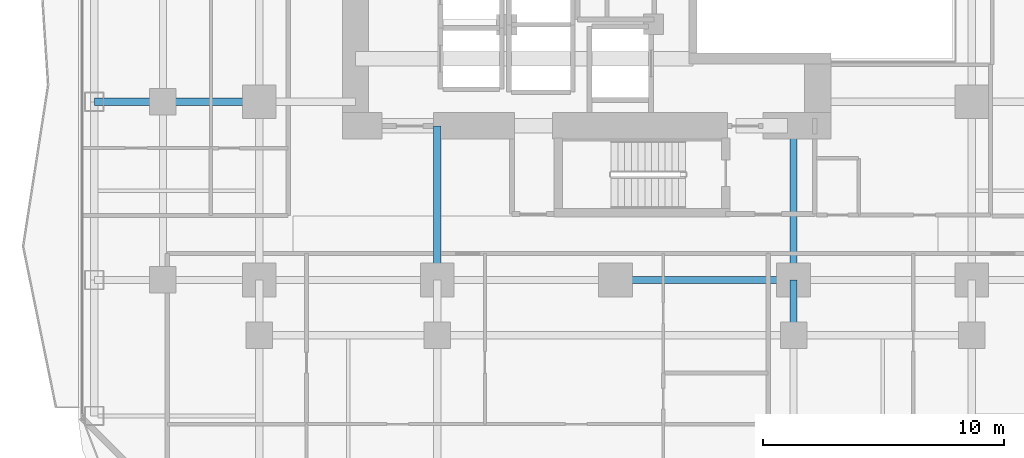
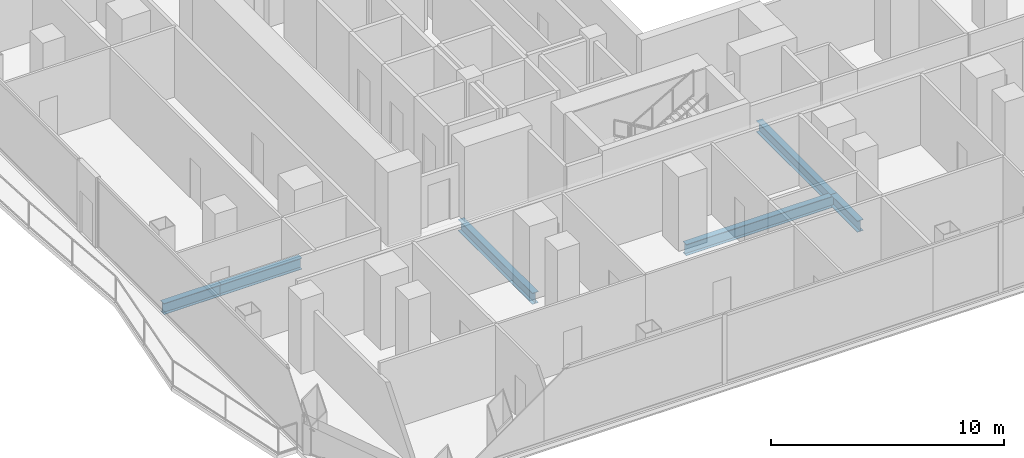
# One storey, part 5 of 27: 6 beams.
"""IFC4 building model written with IfcOpenShell, lengths in metres."""

from ifc_helpers import new_model, si_unit, direction, frame, origin, origin_2d, place, context, subcontext, project, spatial, i_section, extrude, material, material_profile, profile_set, type_object, element, save


model = new_model("IFC4")

# Units and contexts
model_context = context("Model", 3, precision=1e-05, world=origin(), true_north=direction((0.0, 1.0)))
body_context = subcontext(model_context, "Body", "Model", "MODEL_VIEW")
ifc_project = project(units=[si_unit("LENGTHUNIT", "METRE"), si_unit("AREAUNIT", "SQUARE_METRE"), si_unit("VOLUMEUNIT", "CUBIC_METRE"), si_unit("PLANEANGLEUNIT", "RADIAN"), si_unit("MASSUNIT", "GRAM", prefix="KILO")], contexts=[model_context])

# Site, building, storey
site_placement = place(None, origin())
site = spatial("IfcSite", under=ifc_project, at=site_placement, CompositionType="ELEMENT")
building_placement = place(site_placement, origin())
building = spatial("IfcBuilding", under=site, at=building_placement, Name="Khorvyn Point Tower", CompositionType="ELEMENT")
storey_placement = place(building_placement, frame((0.0, 0.0, 42.300048828125)))
storey = spatial("IfcBuildingStorey", under=building, at=storey_placement, Name="L11", CompositionType="ELEMENT", Elevation=42.300048828125)

# Beams
ifc_material = material(Name="Steel S355", Category="steel")
ifc_material_profile = material_profile(ifc_material, i_section(OverallWidth=0.300048828125, OverallDepth=0.587890625, WebThickness=0.011962890625, FlangeThickness=0.02001953125, at=origin_2d()))
ifc_profile_set = profile_set([ifc_material_profile], Name="Steel S355 H588x300x12x20")
beam_type = type_object("IfcBeamType", Name="Steel S355 Beam H588x300x12x20", PredefinedType="BEAM", material=ifc_profile_set)
beam_1_placement = place(storey_placement, frame((0.0, -14.800048828125, -0.51416015625), z_axis=(1.0, 0.0, 0.0), x_axis=(0.0, 1.0, 0.0)))
element("IfcBeam", 1, at=beam_1_placement, inside=storey, type_object=beam_type, Name="Beam", PredefinedType="BEAM", context=body_context, shape_type="SweptSolid", body=[
    extrude(i_section(OverallWidth=0.300048828125, OverallDepth=0.587890625, WebThickness=0.011962890625, FlangeThickness=0.02001953125, at=origin_2d()), origin(), (0.0, 0.0, 1.0), 7.39990234375),
])
beam_2_placement = place(storey_placement, frame((-21.64990234375, -7.39990234375, -0.51416015625), z_axis=(1.0, 0.0, 0.0), x_axis=(0.0, 1.0, 0.0)))
element("IfcBeam", 2, at=beam_2_placement, inside=storey, type_object=beam_type, Name="Beam", PredefinedType="BEAM", context=body_context, shape_type="SweptSolid", body=[
    extrude(i_section(OverallWidth=0.300048828125, OverallDepth=0.587890625, WebThickness=0.011962890625, FlangeThickness=0.02001953125, at=origin_2d()), origin(), (0.0, 0.0, 1.0), 2.849853515625),
])
beam_3_placement = place(storey_placement, frame((-18.800048828125, -7.39990234375, -0.51416015625), z_axis=(1.0, 0.0, 0.0), x_axis=(0.0, 1.0, 0.0)))
element("IfcBeam", 3, at=beam_3_placement, inside=storey, type_object=beam_type, Name="Beam", PredefinedType="BEAM", context=body_context, shape_type="SweptSolid", body=[
    extrude(i_section(OverallWidth=0.300048828125, OverallDepth=0.587890625, WebThickness=0.011962890625, FlangeThickness=0.02001953125, at=origin_2d()), origin(), (0.0, 0.0, 1.0), 4.0),
])
beam_4_placement = place(storey_placement, frame((-7.39990234375, -14.800048828125, -0.51416015625), z_axis=(0.0, 1.0, 0.0), x_axis=(-1.0, 0.0, 0.0)))
element("IfcBeam", 4, at=beam_4_placement, inside=storey, type_object=beam_type, Name="Beam", PredefinedType="BEAM", context=body_context, shape_type="SweptSolid", body=[
    extrude(i_section(OverallWidth=0.300048828125, OverallDepth=0.587890625, WebThickness=0.011962890625, FlangeThickness=0.02001953125, at=origin_2d()), origin(), (0.0, 0.0, 1.0), 6.400146484375),
])
beam_5_placement = place(storey_placement, frame((7.39990234375, -17.10009765625, -0.51416015625), z_axis=(0.0, 1.0, 0.0), x_axis=(-1.0, 0.0, 0.0)))
element("IfcBeam", 5, at=beam_5_placement, inside=storey, type_object=beam_type, Name="Beam", PredefinedType="BEAM", context=body_context, shape_type="SweptSolid", body=[
    extrude(i_section(OverallWidth=0.300048828125, OverallDepth=0.587890625, WebThickness=0.011962890625, FlangeThickness=0.02001953125, at=origin_2d()), origin(), (0.0, 0.0, 1.0), 2.300048828125),
])
beam_6_placement = place(storey_placement, frame((7.39990234375, -14.800048828125, -0.51416015625), z_axis=(0.0, 1.0, 0.0), x_axis=(-1.0, 0.0, 0.0)))
element("IfcBeam", 6, at=beam_6_placement, inside=storey, type_object=beam_type, Name="Beam", PredefinedType="BEAM", context=body_context, shape_type="SweptSolid", body=[
    extrude(i_section(OverallWidth=0.300048828125, OverallDepth=0.587890625, WebThickness=0.011962890625, FlangeThickness=0.02001953125, at=origin_2d()), origin(), (0.0, 0.0, 1.0), 6.400146484375),
])

save(model, "model.ifc")
